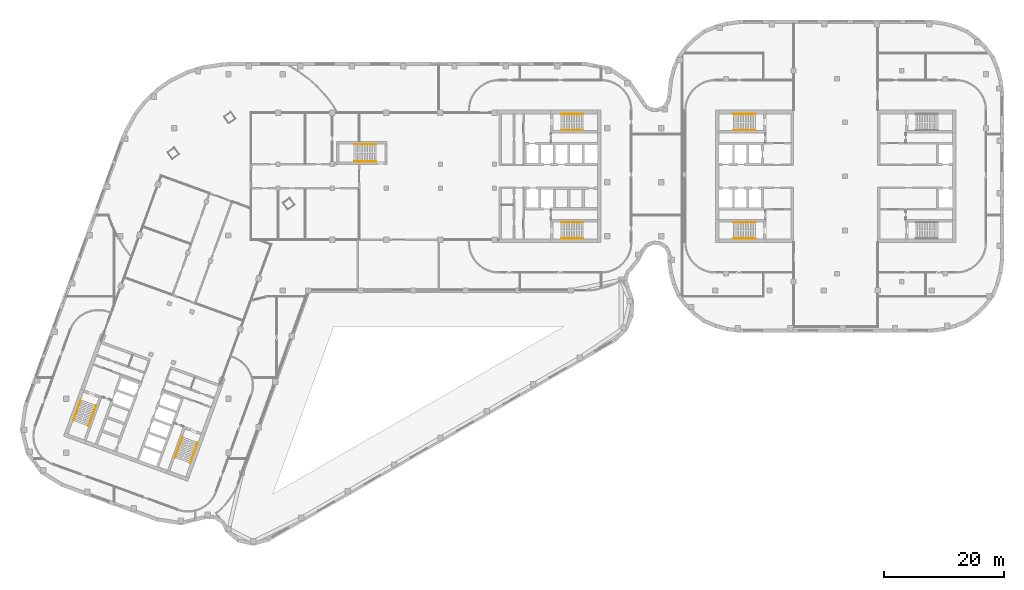
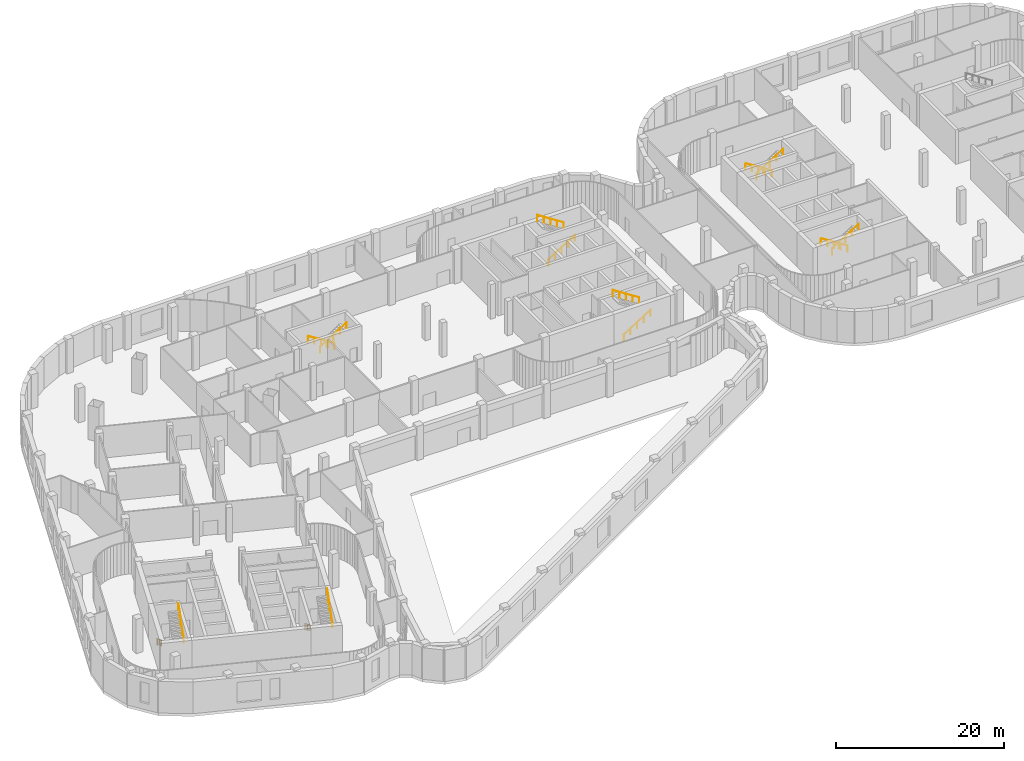
# One storey, part 19 of 20: 14 railings.
"""IFC4 building model written with IfcOpenShell, lengths in metres."""

import ifcopenshell
import ifcopenshell.guid

model = None  # the IFC model being written
_history = None  # IfcOwnerHistory: only IFC2X3 demands one
_inside = {}  # id of a spatial element -> (the spatial element, [elements in it])
_under = {}  # id of a project, library or spatial element -> (it, [spatial elements below it])
_declared = {}  # id of a project -> (the project, [libraries it declares])
_typed = {}  # id of a type object -> (the type object, [elements of that type])
_made_of = {}  # id of a material, layer set ... -> (it, [elements and type objects made of it])


def new_model(schema):
    """Start an empty IFC model of exactly this schema.

    Asked for "IFC4X3", IfcOpenShell would pick the latest addendum, in which some entities
    have other attributes; the version numbers below select the first issue.
    IFC2X3 requires an IfcOwnerHistory on every rooted entity: one is made here for all.
    """
    global model, _history
    if schema == "IFC4X3":
        model = ifcopenshell.file(schema_version=(4, 3, 0, 0))
    else:
        model = ifcopenshell.file(schema=schema)
    _inside.clear()
    _under.clear()
    _declared.clear()
    _typed.clear()
    _made_of.clear()
    _history = None
    if model.schema == "IFC2X3":
        org = make("IfcOrganization", Name="unknown")
        user = make(
            "IfcPersonAndOrganization",
            ThePerson=make("IfcPerson", FamilyName="unknown"),
            TheOrganization=org,
        )
        app = make(
            "IfcApplication",
            ApplicationDeveloper=org,
            Version="unknown",
            ApplicationFullName="unknown",
            ApplicationIdentifier="unknown",
        )
        _history = make(
            "IfcOwnerHistory",
            OwningUser=user,
            OwningApplication=app,
            ChangeAction="ADDED",
            CreationDate=0,
        )
    return model


def make(cls, **values):
    """One entity of the class cls with the attributes given. An attribute that is None is left unset."""
    return model.create_entity(
        cls, **{name: value for name, value in values.items() if value is not None}
    )


def rooted(cls, **values):
    """An entity with a GlobalId (a new one), such as an element, a storey or a relation."""
    return make(cls, GlobalId=ifcopenshell.guid.new(), OwnerHistory=_history, **values)


def si_unit(unit_type, name, prefix=None):
    """IfcSIUnit, for example si_unit("LENGTHUNIT", "METRE", prefix="MILLI")."""
    return make("IfcSIUnit", UnitType=unit_type, Prefix=prefix, Name=name)


def assignment(units):
    """IfcUnitAssignment: the units of a project."""
    return None if units is None else make("IfcUnitAssignment", Units=units)


def point(xyz):
    """IfcCartesianPoint."""
    return None if xyz is None else make("IfcCartesianPoint", Coordinates=xyz)


def direction(xyz):
    """IfcDirection."""
    return None if xyz is None else make("IfcDirection", DirectionRatios=xyz)


def frame(location, z_axis=None, x_axis=None):
    """IfcAxis2Placement3D, a coordinate frame: its origin and axes. An axis left out is left unset."""
    return make(
        "IfcAxis2Placement3D",
        Location=point(location),
        Axis=direction(z_axis),
        RefDirection=direction(x_axis),
    )


def frame_2d(location, x_axis=None):
    """IfcAxis2Placement2D, a coordinate frame in the plane: its origin and x axis."""
    return make(
        "IfcAxis2Placement2D", Location=point(location), RefDirection=direction(x_axis)
    )


def origin():
    """The frame at (0, 0, 0) with its axes left unset."""
    return frame((0.0, 0.0, 0.0))


def origin_2d():
    """The frame at (0, 0) in the plane with its x axis left unset."""
    return frame_2d((0.0, 0.0))


def place(relative_to, where):
    """IfcLocalPlacement: puts the frame where relative to a parent placement (None: the world)."""
    return make(
        "IfcLocalPlacement", PlacementRelTo=relative_to, RelativePlacement=where
    )


def context(
    kind, dimensions, precision=None, world=None, true_north=None, identifier=None
):
    """IfcGeometricRepresentationContext, for example the 3D "Model" context."""
    return make(
        "IfcGeometricRepresentationContext",
        ContextIdentifier=identifier,
        ContextType=kind,
        CoordinateSpaceDimension=dimensions,
        Precision=precision,
        WorldCoordinateSystem=world,
        TrueNorth=true_north,
    )


def subcontext(parent, identifier, kind, view, scale=None):
    """IfcGeometricRepresentationSubContext, for example "Body" below "Model"."""
    return make(
        "IfcGeometricRepresentationSubContext",
        ContextIdentifier=identifier,
        ContextType=kind,
        ParentContext=parent,
        TargetScale=scale,
        TargetView=view,
    )


def project(units=None, contexts=None):
    """IfcProject with its units and contexts."""
    return rooted(
        "IfcProject",
        Name="project",
        RepresentationContexts=contexts,
        UnitsInContext=assignment(units),
    )


def spatial(cls, under=None, at=None, **own):
    """A site, building, storey or space (cls), placed at a placement, below another one or the project."""
    s = rooted(cls, ObjectPlacement=at, **own)
    if under is not None:
        _under.setdefault(under.id(), (under, []))[1].append(s)
    return s


def profile(cls, at=None, kind="AREA", **sizes):
    """A parametric profile (cls). Its sizes go by their IFC names, for example OverallWidth=200.0."""
    return make(cls, ProfileType=kind, Position=at, **sizes)


def circle(**sizes):
    """IfcCircleProfileDef."""
    return profile("IfcCircleProfileDef", **sizes)


def extrude(swept, where, along, depth):
    """IfcExtrudedAreaSolid: the profile swept, set in the frame where, extruded along a direction by depth."""
    return make(
        "IfcExtrudedAreaSolid",
        SweptArea=swept,
        Position=where,
        ExtrudedDirection=direction(along),
        Depth=depth,
    )


def shape(context_of_items, identifier, shape_type, items):
    """IfcShapeRepresentation: the items that make up one representation, for example the "Body"."""
    return make(
        "IfcShapeRepresentation",
        ContextOfItems=context_of_items,
        RepresentationIdentifier=identifier,
        RepresentationType=shape_type,
        Items=items,
    )


def material(Name=None, Category=None):
    """IfcMaterial."""
    return make("IfcMaterial", Name=Name, Category=Category)


def made_of(thing, what):
    """Note that an element or type object is made of a material, layer set ...; save() writes the relation."""
    if what is not None:
        _made_of.setdefault(what.id(), (what, []))[1].append(thing)
    return thing


def type_object(cls, material=None, **own):
    """A type object (cls), such as IfcWallType, which elements share."""
    return made_of(rooted(cls, **own), material)


def element(
    cls,
    number,
    at=None,
    inside=None,
    cuts=None,
    type_object=None,
    material=None,
    context=None,
    identifier="Body",
    shape_type=None,
    held_by="IfcProductDefinitionShape",
    body=None,
    shapes=None,
    **own,
):
    """One element of the class cls, such as IfcWall. Its Tag is "e" and its number.

    at: its placement. inside: the storey or other place that contains it. cuts: it is an
    opening in that element (IfcRelVoidsElement). A single representation is given by context,
    identifier, shape_type and body (its items); several are given by shapes. held_by: the class
    of the entity that holds the representations. save() writes the other relations.
    """
    e = rooted(cls, Tag="e%d" % number, ObjectPlacement=at, **own)
    if body is not None:
        shapes = [shape(context, identifier, shape_type, body)]
    if shapes is not None:
        e.Representation = make(held_by, Representations=shapes)
    if inside is not None:
        _inside.setdefault(inside.id(), (inside, []))[1].append(e)
    if cuts is not None:
        rooted(
            "IfcRelVoidsElement", RelatingBuildingElement=cuts, RelatedOpeningElement=e
        )
    if type_object is not None:
        _typed.setdefault(type_object.id(), (type_object, []))[1].append(e)
    return made_of(e, material)


def aggregate(whole, parts):
    """IfcRelAggregates: a whole, such as a stair, and the parts it consists of."""
    return rooted("IfcRelAggregates", RelatingObject=whole, RelatedObjects=parts)


def save(model, path):
    """Write the relations noted so far, then the file.

    IfcRelAggregates (storeys below a building ...), IfcRelContainedInSpatialStructure (elements
    in a storey), IfcRelDefinesByType, IfcRelAssociatesMaterial and IfcRelDeclares: one each for
    every whole, place, type object, material and project.
    """
    for whole, parts in _under.values():
        aggregate(whole, parts)
    for where, things in _inside.values():
        rooted(
            "IfcRelContainedInSpatialStructure",
            RelatedElements=things,
            RelatingStructure=where,
        )
    for kind, things in _typed.values():
        rooted("IfcRelDefinesByType", RelatedObjects=things, RelatingType=kind)
    for what, things in _made_of.values():
        rooted("IfcRelAssociatesMaterial", RelatedObjects=things, RelatingMaterial=what)
    for by, libraries in _declared.values():
        rooted("IfcRelDeclares", RelatingContext=by, RelatedDefinitions=libraries)
    model.write(path)


model = new_model("IFC4")

# Units and contexts
model_context = context("Model", 3, precision=1e-05, world=origin(), true_north=direction((0.0, 1.0)))
body_context = subcontext(model_context, "Body", "Model", "MODEL_VIEW")
ifc_project = project(units=[si_unit("LENGTHUNIT", "METRE"), si_unit("AREAUNIT", "SQUARE_METRE"), si_unit("VOLUMEUNIT", "CUBIC_METRE"), si_unit("PLANEANGLEUNIT", "RADIAN"), si_unit("MASSUNIT", "GRAM", prefix="KILO")], contexts=[model_context])

# Site, building, storey
site_placement = place(None, origin())
site = spatial("IfcSite", under=ifc_project, at=site_placement, CompositionType="ELEMENT")
building_placement = place(site_placement, origin())
building = spatial("IfcBuilding", under=site, at=building_placement, Name="Skarvind Civic Tower", CompositionType="ELEMENT")
storey_placement = place(building_placement, frame((0.0, 0.0, 17.5)))
storey = spatial("IfcBuildingStorey", under=building, at=storey_placement, Name="L03", CompositionType="ELEMENT", Elevation=17.5)

# Railings
ifc_material = material(Name="Painted steel handrail", Category="steel")
railing_type = type_object("IfcRailingType", Name="Stair handrail 900", PredefinedType="HANDRAIL", material=ifc_material)
railing_1_placement = place(storey_placement, frame((101.35009765625, 135.64990234375, 0.178466796875)))
element("IfcRailing", 1, at=railing_1_placement, inside=storey, type_object=railing_type, Name="Stair handrail", PredefinedType="HANDRAIL", context=body_context, shape_type="SweptSolid", body=[
    extrude(circle(Radius=0.02392578125, at=origin_2d()), frame((0.0, 0.0, 0.8759765625), z_axis=(0.843111507901, 0.0, 0.53773877045), x_axis=(0.0, 1.0, 0.0)), (0.0, 0.0, 1.0), 4.317138671875),
    extrude(circle(Radius=0.02099609375, at=origin_2d()), origin(), (0.0, 0.0, 1.0), 0.851806640625),
    extrude(circle(Radius=0.02099609375, at=origin_2d()), frame((0.909912109375, 0.0, 0.580322265625)), (0.0, 0.0, 1.0), 0.851806640625),
    extrude(circle(Radius=0.02099609375, at=origin_2d()), frame((1.81982421875, 0.0, 1.16064453125)), (0.0, 0.0, 1.0), 0.851806640625),
    extrude(circle(Radius=0.02099609375, at=origin_2d()), frame((2.72998046875, 0.0, 1.7412109375)), (0.0, 0.0, 1.0), 0.851806640625),
    extrude(circle(Radius=0.02099609375, at=origin_2d()), frame((3.639892578125, 0.0, 2.321533203125)), (0.0, 0.0, 1.0), 0.851806640625),
])
railing_2_placement = place(storey_placement, frame((104.989990234375, 138.35009765625, 2.678466796875)))
element("IfcRailing", 2, at=railing_2_placement, inside=storey, type_object=railing_type, Name="Stair handrail", PredefinedType="HANDRAIL", context=body_context, shape_type="SweptSolid", body=[
    extrude(circle(Radius=0.02392578125, at=origin_2d()), frame((0.0, 0.0, 0.8759765625), z_axis=(-0.843111507901, 0.0, 0.53773877045), x_axis=(0.0, -1.0, 0.0)), (0.0, 0.0, 1.0), 4.317138671875),
    extrude(circle(Radius=0.02099609375, at=origin_2d()), origin(), (0.0, 0.0, 1.0), 0.851806640625),
    extrude(circle(Radius=0.02099609375, at=origin_2d()), frame((-0.909912109375, 0.0, 0.580322265625)), (0.0, 0.0, 1.0), 0.851806640625),
    extrude(circle(Radius=0.02099609375, at=origin_2d()), frame((-1.81982421875, 0.0, 1.16064453125)), (0.0, 0.0, 1.0), 0.851806640625),
    extrude(circle(Radius=0.02099609375, at=origin_2d()), frame((-2.72998046875, 0.0, 1.7412109375)), (0.0, 0.0, 1.0), 0.851806640625),
    extrude(circle(Radius=0.02099609375, at=origin_2d()), frame((-3.639892578125, 0.0, 2.321533203125)), (0.0, 0.0, 1.0), 0.851806640625),
])
railing_3_placement = place(storey_placement, frame((101.35009765625, 117.64990234375, 0.178466796875)))
element("IfcRailing", 3, at=railing_3_placement, inside=storey, type_object=railing_type, Name="Stair handrail", PredefinedType="HANDRAIL", context=body_context, shape_type="SweptSolid", body=[
    extrude(circle(Radius=0.02392578125, at=origin_2d()), frame((0.0, 0.0, 0.8759765625), z_axis=(0.843111507901, 0.0, 0.53773877045), x_axis=(0.0, 1.0, 0.0)), (0.0, 0.0, 1.0), 4.317138671875),
    extrude(circle(Radius=0.02099609375, at=origin_2d()), origin(), (0.0, 0.0, 1.0), 0.851806640625),
    extrude(circle(Radius=0.02099609375, at=origin_2d()), frame((0.909912109375, 0.0, 0.580322265625)), (0.0, 0.0, 1.0), 0.851806640625),
    extrude(circle(Radius=0.02099609375, at=origin_2d()), frame((1.81982421875, 0.0, 1.16064453125)), (0.0, 0.0, 1.0), 0.851806640625),
    extrude(circle(Radius=0.02099609375, at=origin_2d()), frame((2.72998046875, 0.0, 1.7412109375)), (0.0, 0.0, 1.0), 0.851806640625),
    extrude(circle(Radius=0.02099609375, at=origin_2d()), frame((3.639892578125, 0.0, 2.321533203125)), (0.0, 0.0, 1.0), 0.851806640625),
])
railing_4_placement = place(storey_placement, frame((104.989990234375, 120.35009765625, 2.678466796875)))
element("IfcRailing", 4, at=railing_4_placement, inside=storey, type_object=railing_type, Name="Stair handrail", PredefinedType="HANDRAIL", context=body_context, shape_type="SweptSolid", body=[
    extrude(circle(Radius=0.02392578125, at=origin_2d()), frame((0.0, 0.0, 0.8759765625), z_axis=(-0.843111507901, 0.0, 0.53773877045), x_axis=(0.0, -1.0, 0.0)), (0.0, 0.0, 1.0), 4.317138671875),
    extrude(circle(Radius=0.02099609375, at=origin_2d()), origin(), (0.0, 0.0, 1.0), 0.851806640625),
    extrude(circle(Radius=0.02099609375, at=origin_2d()), frame((-0.909912109375, 0.0, 0.580322265625)), (0.0, 0.0, 1.0), 0.851806640625),
    extrude(circle(Radius=0.02099609375, at=origin_2d()), frame((-1.81982421875, 0.0, 1.16064453125)), (0.0, 0.0, 1.0), 0.851806640625),
    extrude(circle(Radius=0.02099609375, at=origin_2d()), frame((-2.72998046875, 0.0, 1.7412109375)), (0.0, 0.0, 1.0), 0.851806640625),
    extrude(circle(Radius=0.02099609375, at=origin_2d()), frame((-3.639892578125, 0.0, 2.321533203125)), (0.0, 0.0, 1.0), 0.851806640625),
])
railing_5_placement = place(storey_placement, frame((38.362060546875, 84.64794921875, 0.178466796875)))
element("IfcRailing", 5, at=railing_5_placement, inside=storey, type_object=railing_type, Name="Stair handrail", PredefinedType="HANDRAIL", context=body_context, shape_type="SweptSolid", body=[
    extrude(circle(Radius=0.02392578125, at=origin_2d()), frame((0.0, 0.0, 0.8759765625), z_axis=(-0.288337369333, -0.792291602614, 0.537713285937), x_axis=(0.93970527225, -0.341985381714, 0.0)), (0.0, 0.0, 1.0), 4.3173828125),
    extrude(circle(Radius=0.02099609375, at=origin_2d()), origin(), (0.0, 0.0, 1.0), 0.851806640625),
    extrude(circle(Radius=0.02099609375, at=origin_2d()), frame((-0.311279296875, -0.855224609375, 0.580322265625)), (0.0, 0.0, 1.0), 0.851806640625),
    extrude(circle(Radius=0.02099609375, at=origin_2d()), frame((-0.62255859375, -1.71044921875, 1.16064453125)), (0.0, 0.0, 1.0), 0.851806640625),
    extrude(circle(Radius=0.02099609375, at=origin_2d()), frame((-0.93359375, -2.5654296875, 1.7412109375)), (0.0, 0.0, 1.0), 0.851806640625),
    extrude(circle(Radius=0.02099609375, at=origin_2d()), frame((-1.244873046875, -3.420654296875, 2.321533203125)), (0.0, 0.0, 1.0), 0.851806640625),
])
railing_6_placement = place(storey_placement, frame((39.654296875, 80.303955078125, 2.678466796875)))
element("IfcRailing", 6, at=railing_6_placement, inside=storey, type_object=railing_type, Name="Stair handrail", PredefinedType="HANDRAIL", context=body_context, shape_type="SweptSolid", body=[
    extrude(circle(Radius=0.02392578125, at=origin_2d()), frame((0.0, 0.0, 0.8759765625), z_axis=(0.288350287938, 0.792270549913, 0.537737377525), x_axis=(-0.939697427507, 0.342006936678, 0.0)), (0.0, 0.0, 1.0), 4.317138671875),
    extrude(circle(Radius=0.02099609375, at=origin_2d()), origin(), (0.0, 0.0, 1.0), 0.851806640625),
    extrude(circle(Radius=0.02099609375, at=origin_2d()), frame((0.311279296875, 0.85498046875, 0.580322265625)), (0.0, 0.0, 1.0), 0.851806640625),
    extrude(circle(Radius=0.02099609375, at=origin_2d()), frame((0.62255859375, 1.710205078125, 1.16064453125)), (0.0, 0.0, 1.0), 0.851806640625),
    extrude(circle(Radius=0.02099609375, at=origin_2d()), frame((0.93359375, 2.5654296875, 1.7412109375)), (0.0, 0.0, 1.0), 0.851806640625),
    extrude(circle(Radius=0.02099609375, at=origin_2d()), frame((1.244873046875, 3.42041015625, 2.321533203125)), (0.0, 0.0, 1.0), 0.851806640625),
])
railing_7_placement = place(storey_placement, frame((21.447509765625, 90.80419921875, 0.178466796875)))
element("IfcRailing", 7, at=railing_7_placement, inside=storey, type_object=railing_type, Name="Stair handrail", PredefinedType="HANDRAIL", context=body_context, shape_type="SweptSolid", body=[
    extrude(circle(Radius=0.02392578125, at=origin_2d()), frame((0.0, 0.0, 0.8759765625), z_axis=(-0.288350287938, -0.792270549913, 0.537737377525), x_axis=(0.939697427507, -0.342006936678, 0.0)), (0.0, 0.0, 1.0), 4.317138671875),
    extrude(circle(Radius=0.02099609375, at=origin_2d()), origin(), (0.0, 0.0, 1.0), 0.851806640625),
    extrude(circle(Radius=0.02099609375, at=origin_2d()), frame((-0.311279296875, -0.85498046875, 0.580322265625)), (0.0, 0.0, 1.0), 0.851806640625),
    extrude(circle(Radius=0.02099609375, at=origin_2d()), frame((-0.62255859375, -1.710205078125, 1.16064453125)), (0.0, 0.0, 1.0), 0.851806640625),
    extrude(circle(Radius=0.02099609375, at=origin_2d()), frame((-0.93359375, -2.5654296875, 1.7412109375)), (0.0, 0.0, 1.0), 0.851806640625),
    extrude(circle(Radius=0.02099609375, at=origin_2d()), frame((-1.244873046875, -3.42041015625, 2.321533203125)), (0.0, 0.0, 1.0), 0.851806640625),
])
railing_8_placement = place(storey_placement, frame((22.73974609375, 86.460205078125, 2.678466796875)))
element("IfcRailing", 8, at=railing_8_placement, inside=storey, type_object=railing_type, Name="Stair handrail", PredefinedType="HANDRAIL", context=body_context, shape_type="SweptSolid", body=[
    extrude(circle(Radius=0.02392578125, at=origin_2d()), frame((0.0, 0.0, 0.8759765625), z_axis=(0.288389214594, 0.792278683466, 0.537704517956), x_axis=(-0.939683717183, 0.342044604784, 0.0)), (0.0, 0.0, 1.0), 4.3173828125),
    extrude(circle(Radius=0.02099609375, at=origin_2d()), origin(), (0.0, 0.0, 1.0), 0.851806640625),
    extrude(circle(Radius=0.02099609375, at=origin_2d()), frame((0.311279296875, 0.855224609375, 0.580322265625)), (0.0, 0.0, 1.0), 0.851806640625),
    extrude(circle(Radius=0.02099609375, at=origin_2d()), frame((0.62255859375, 1.71044921875, 1.16064453125)), (0.0, 0.0, 1.0), 0.851806640625),
    extrude(circle(Radius=0.02099609375, at=origin_2d()), frame((0.933837890625, 2.5654296875, 1.7412109375)), (0.0, 0.0, 1.0), 0.851806640625),
    extrude(circle(Radius=0.02099609375, at=origin_2d()), frame((1.2451171875, 3.420654296875, 2.321533203125)), (0.0, 0.0, 1.0), 0.851806640625),
])
railing_9_placement = place(storey_placement, frame((133.64990234375, 120.35009765625, 0.178466796875)))
element("IfcRailing", 9, at=railing_9_placement, inside=storey, type_object=railing_type, Name="Stair handrail", PredefinedType="HANDRAIL", context=body_context, shape_type="SweptSolid", body=[
    extrude(circle(Radius=0.02392578125, at=origin_2d()), frame((0.0, 0.0, 0.8759765625), z_axis=(-0.843111507901, 0.0, 0.53773877045), x_axis=(0.0, -1.0, 0.0)), (0.0, 0.0, 1.0), 4.317138671875),
    extrude(circle(Radius=0.02099609375, at=origin_2d()), origin(), (0.0, 0.0, 1.0), 0.851806640625),
    extrude(circle(Radius=0.02099609375, at=origin_2d()), frame((-0.909912109375, 0.0, 0.580322265625)), (0.0, 0.0, 1.0), 0.851806640625),
    extrude(circle(Radius=0.02099609375, at=origin_2d()), frame((-1.81982421875, 0.0, 1.16064453125)), (0.0, 0.0, 1.0), 0.851806640625),
    extrude(circle(Radius=0.02099609375, at=origin_2d()), frame((-2.72998046875, 0.0, 1.7412109375)), (0.0, 0.0, 1.0), 0.851806640625),
    extrude(circle(Radius=0.02099609375, at=origin_2d()), frame((-3.639892578125, 0.0, 2.321533203125)), (0.0, 0.0, 1.0), 0.851806640625),
])
railing_10_placement = place(storey_placement, frame((130.010009765625, 117.64990234375, 2.678466796875)))
element("IfcRailing", 10, at=railing_10_placement, inside=storey, type_object=railing_type, Name="Stair handrail", PredefinedType="HANDRAIL", context=body_context, shape_type="SweptSolid", body=[
    extrude(circle(Radius=0.02392578125, at=origin_2d()), frame((0.0, 0.0, 0.8759765625), z_axis=(0.843111507901, 0.0, 0.53773877045), x_axis=(0.0, 1.0, 0.0)), (0.0, 0.0, 1.0), 4.317138671875),
    extrude(circle(Radius=0.02099609375, at=origin_2d()), origin(), (0.0, 0.0, 1.0), 0.851806640625),
    extrude(circle(Radius=0.02099609375, at=origin_2d()), frame((0.909912109375, 0.0, 0.580322265625)), (0.0, 0.0, 1.0), 0.851806640625),
    extrude(circle(Radius=0.02099609375, at=origin_2d()), frame((1.81982421875, 0.0, 1.16064453125)), (0.0, 0.0, 1.0), 0.851806640625),
    extrude(circle(Radius=0.02099609375, at=origin_2d()), frame((2.72998046875, 0.0, 1.7412109375)), (0.0, 0.0, 1.0), 0.851806640625),
    extrude(circle(Radius=0.02099609375, at=origin_2d()), frame((3.639892578125, 0.0, 2.321533203125)), (0.0, 0.0, 1.0), 0.851806640625),
])
railing_11_placement = place(storey_placement, frame((133.64990234375, 138.35009765625, 0.178466796875)))
element("IfcRailing", 11, at=railing_11_placement, inside=storey, type_object=railing_type, Name="Stair handrail", PredefinedType="HANDRAIL", context=body_context, shape_type="SweptSolid", body=[
    extrude(circle(Radius=0.02392578125, at=origin_2d()), frame((0.0, 0.0, 0.8759765625), z_axis=(-0.843111507901, 0.0, 0.53773877045), x_axis=(0.0, -1.0, 0.0)), (0.0, 0.0, 1.0), 4.317138671875),
    extrude(circle(Radius=0.02099609375, at=origin_2d()), origin(), (0.0, 0.0, 1.0), 0.851806640625),
    extrude(circle(Radius=0.02099609375, at=origin_2d()), frame((-0.909912109375, 0.0, 0.580322265625)), (0.0, 0.0, 1.0), 0.851806640625),
    extrude(circle(Radius=0.02099609375, at=origin_2d()), frame((-1.81982421875, 0.0, 1.16064453125)), (0.0, 0.0, 1.0), 0.851806640625),
    extrude(circle(Radius=0.02099609375, at=origin_2d()), frame((-2.72998046875, 0.0, 1.7412109375)), (0.0, 0.0, 1.0), 0.851806640625),
    extrude(circle(Radius=0.02099609375, at=origin_2d()), frame((-3.639892578125, 0.0, 2.321533203125)), (0.0, 0.0, 1.0), 0.851806640625),
])
railing_12_placement = place(storey_placement, frame((130.010009765625, 135.64990234375, 2.678466796875)))
element("IfcRailing", 12, at=railing_12_placement, inside=storey, type_object=railing_type, Name="Stair handrail", PredefinedType="HANDRAIL", context=body_context, shape_type="SweptSolid", body=[
    extrude(circle(Radius=0.02392578125, at=origin_2d()), frame((0.0, 0.0, 0.8759765625), z_axis=(0.843111507901, 0.0, 0.53773877045), x_axis=(0.0, 1.0, 0.0)), (0.0, 0.0, 1.0), 4.317138671875),
    extrude(circle(Radius=0.02099609375, at=origin_2d()), origin(), (0.0, 0.0, 1.0), 0.851806640625),
    extrude(circle(Radius=0.02099609375, at=origin_2d()), frame((0.909912109375, 0.0, 0.580322265625)), (0.0, 0.0, 1.0), 0.851806640625),
    extrude(circle(Radius=0.02099609375, at=origin_2d()), frame((1.81982421875, 0.0, 1.16064453125)), (0.0, 0.0, 1.0), 0.851806640625),
    extrude(circle(Radius=0.02099609375, at=origin_2d()), frame((2.72998046875, 0.0, 1.7412109375)), (0.0, 0.0, 1.0), 0.851806640625),
    extrude(circle(Radius=0.02099609375, at=origin_2d()), frame((3.639892578125, 0.0, 2.321533203125)), (0.0, 0.0, 1.0), 0.851806640625),
])
railing_13_placement = place(storey_placement, frame((70.550048828125, 133.35009765625, 0.178466796875)))
element("IfcRailing", 13, at=railing_13_placement, inside=storey, type_object=railing_type, Name="Stair handrail", PredefinedType="HANDRAIL", context=body_context, shape_type="SweptSolid", body=[
    extrude(circle(Radius=0.02392578125, at=origin_2d()), frame((0.0, 0.0, 0.8759765625), z_axis=(-0.843127859045, 0.0, 0.537713132908), x_axis=(0.0, -1.0, 0.0)), (0.0, 0.0, 1.0), 4.3173828125),
    extrude(circle(Radius=0.02099609375, at=origin_2d()), origin(), (0.0, 0.0, 1.0), 0.851806640625),
    extrude(circle(Radius=0.02099609375, at=origin_2d()), frame((-0.91015625, 0.0, 0.580322265625)), (0.0, 0.0, 1.0), 0.851806640625),
    extrude(circle(Radius=0.02099609375, at=origin_2d()), frame((-1.820068359375, 0.0, 1.16064453125)), (0.0, 0.0, 1.0), 0.851806640625),
    extrude(circle(Radius=0.02099609375, at=origin_2d()), frame((-2.72998046875, 0.0, 1.7412109375)), (0.0, 0.0, 1.0), 0.851806640625),
    extrude(circle(Radius=0.02099609375, at=origin_2d()), frame((-3.64013671875, 0.0, 2.321533203125)), (0.0, 0.0, 1.0), 0.851806640625),
])
railing_14_placement = place(storey_placement, frame((66.909912109375, 130.449951171875, 2.678466796875)))
element("IfcRailing", 14, at=railing_14_placement, inside=storey, type_object=railing_type, Name="Stair handrail", PredefinedType="HANDRAIL", context=body_context, shape_type="SweptSolid", body=[
    extrude(circle(Radius=0.02392578125, at=origin_2d()), frame((0.0, 0.0, 0.8759765625), z_axis=(0.843127859045, 0.0, 0.537713132908), x_axis=(0.0, 1.0, 0.0)), (0.0, 0.0, 1.0), 4.3173828125),
    extrude(circle(Radius=0.02099609375, at=origin_2d()), origin(), (0.0, 0.0, 1.0), 0.851806640625),
    extrude(circle(Radius=0.02099609375, at=origin_2d()), frame((0.91015625, 0.0, 0.580322265625)), (0.0, 0.0, 1.0), 0.851806640625),
    extrude(circle(Radius=0.02099609375, at=origin_2d()), frame((1.820068359375, 0.0, 1.16064453125)), (0.0, 0.0, 1.0), 0.851806640625),
    extrude(circle(Radius=0.02099609375, at=origin_2d()), frame((2.72998046875, 0.0, 1.7412109375)), (0.0, 0.0, 1.0), 0.851806640625),
    extrude(circle(Radius=0.02099609375, at=origin_2d()), frame((3.64013671875, 0.0, 2.321533203125)), (0.0, 0.0, 1.0), 0.851806640625),
])

save(model, "model.ifc")
